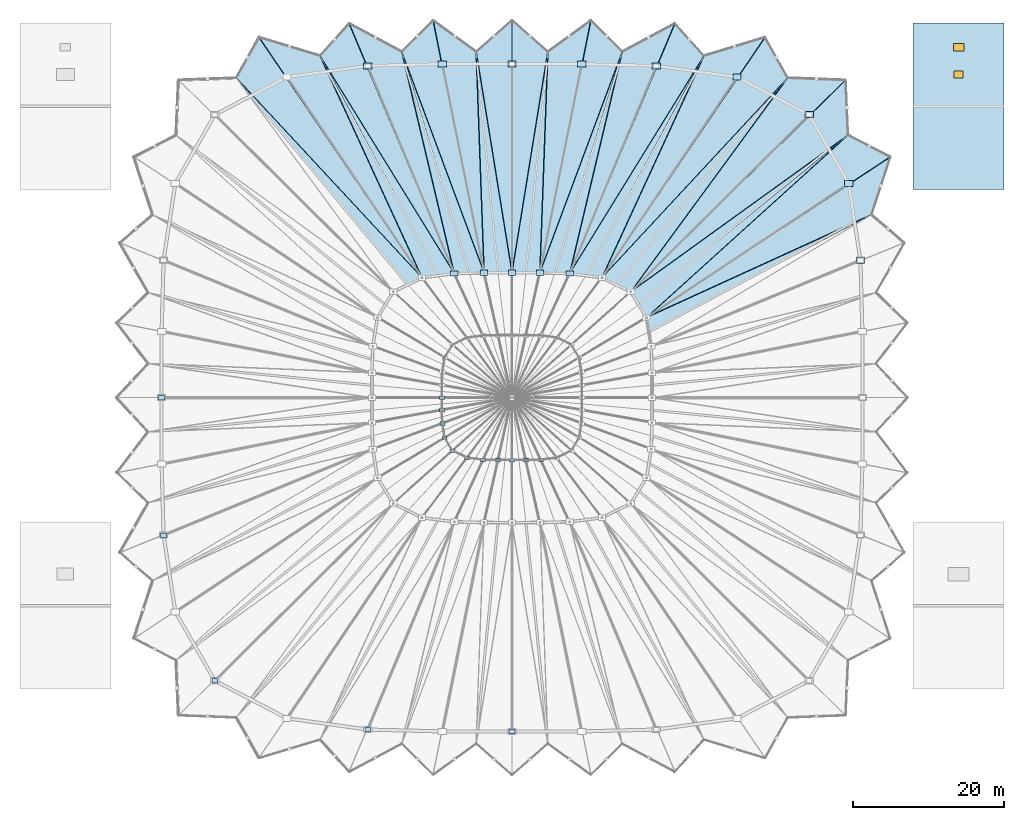
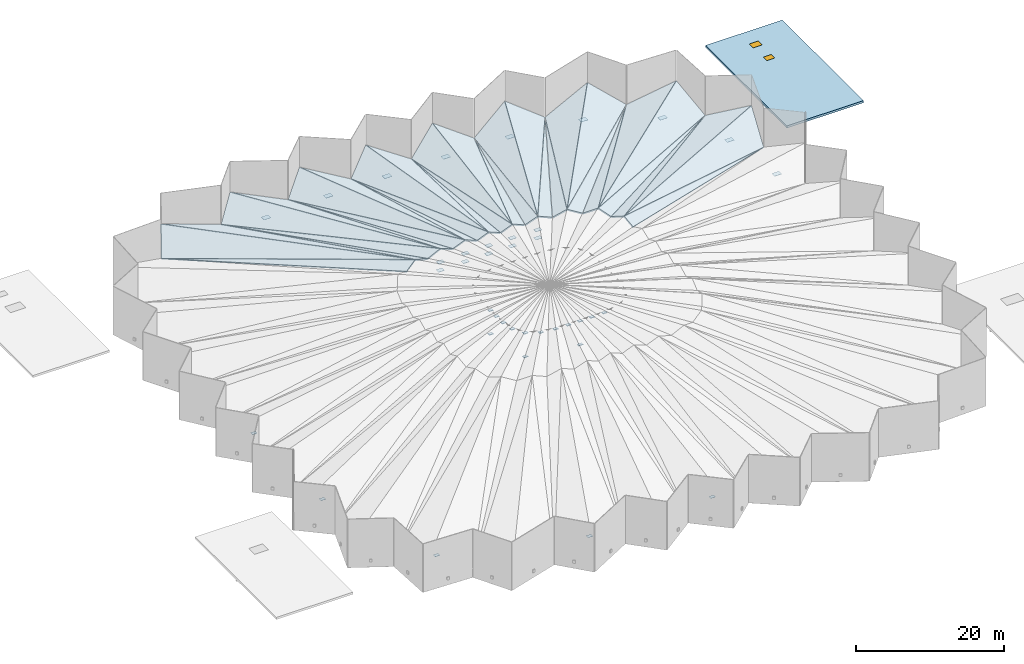
# One storey, part 32 of 41: 38 plates, 37 slabs, 2 windows, 2 openings.
"""IFC4 building model written with IfcOpenShell, lengths in metres."""

from ifc_helpers import new_model, si_unit, direction, frame, origin, origin_2d, place, context, subcontext, project, spatial, polyline, rectangle, outline, extrude, material, layer, layer_set, type_object, element, fill, save


model = new_model("IFC4")

# Units and contexts
model_context = context("Model", 3, precision=1e-05, world=origin(), true_north=direction((0.0, 1.0)))
body_context = subcontext(model_context, "Body", "Model", "MODEL_VIEW")
ifc_project = project(units=[si_unit("LENGTHUNIT", "METRE"), si_unit("AREAUNIT", "SQUARE_METRE"), si_unit("VOLUMEUNIT", "CUBIC_METRE"), si_unit("PLANEANGLEUNIT", "RADIAN"), si_unit("MASSUNIT", "GRAM", prefix="KILO")], contexts=[model_context])

# Site, building, storey
site_placement = place(None, origin())
site = spatial("IfcSite", under=ifc_project, at=site_placement, CompositionType="ELEMENT")
building_placement = place(site_placement, origin())
building = spatial("IfcBuilding", under=site, at=building_placement, Name="Luwafu Chhajja Arena", CompositionType="ELEMENT")
storey_placement = place(building_placement, frame((0.0, 0.0, 29.699951171875)))
storey = spatial("IfcBuildingStorey", under=building, at=storey_placement, Name="RF", CompositionType="ELEMENT", Elevation=29.699951171875)

# Plates
ifc_material_1 = material(Name="Steel S355", Category="steel")
ifc_layer_1 = layer(ifc_material_1, 0.028076171875, Name="Steel S355")
ifc_layer_set_1 = layer_set([ifc_layer_1], Name="Steel S355")
plate_type_1 = type_object("IfcPlateType", Name="Cable Net Clamp Gusset Plate CN-1", PredefinedType="USERDEFINED", material=ifc_layer_set_1)
for number, where, z_axis, x_axis, name in (
    (1, (89.75, 49.5, 8.005859375), (0.0, 0.0, 1.0), (1.0, 0.0, 0.0), "Cable Net Clamp Plate CN-1 17"),
    (2, (89.75, 49.5, 4.0859375), (0.0, 0.0, 1.0), (1.0, 0.0, 0.0), "Cable Net Lower Clamp Plate CN-1 05"),
    (3, (89.75244140625, 47.859375, 8.005859375), (0.0, 0.0, 1.0), (1.0, 0.0, 0.0), "Cable Net Clamp Plate CN-1 18"),
    (4, (89.8037109375, 46.1025390625, 8.005859375), (0.0, 0.0, 1.0), (1.0, 0.0, 0.0), "Cable Net Clamp Plate CN-1 19"),
    (5, (90.114501953125, 44.20458984375, 8.005859375), (0.0, 0.0, 1.0), (1.0, 0.0, 0.0), "Cable Net Clamp Plate CN-1 20"),
    (6, (91.1572265625, 42.505126953125, 8.005859375), (0.0, 0.0, 1.0), (1.0, 0.0, 0.0), "Cable Net Clamp Plate CN-1 21"),
    (7, (91.1572265625, 42.505126953125, 4.0859375), (0.0, 0.0, 1.0), (1.0, 0.0, 0.0), "Cable Net Lower Clamp Plate CN-1 06"),
    (8, (93.062744140625, 41.574951171875, 8.005859375), (0.0, 0.0, 1.0), (1.0, 0.0, 0.0), "Cable Net Clamp Plate CN-1 22"),
    (9, (95.190673828125, 41.2978515625, 8.005859375), (0.0, 0.0, 1.0), (1.0, 0.0, 0.0), "Cable Net Clamp Plate CN-1 23"),
    (10, (97.16064453125, 41.252197265625, 8.005859375), (0.0, 0.0, 1.0), (1.0, 0.0, 0.0), "Cable Net Clamp Plate CN-1 24"),
    (11, (99.0, 41.25, 8.005859375), (0.0, 0.0, 1.0), (1.0, 0.0, 0.0), "Cable Net Clamp Plate CN-1 25"),
    (12, (99.0, 41.25, 4.0859375), (0.0, 0.0, 1.0), (1.0, 0.0, 0.0), "Cable Net Lower Clamp Plate CN-1 07"),
    (13, (100.83935546875, 41.252197265625, 8.005859375), (0.0, 0.0, 1.0), (1.0, 0.0, 0.0), "Cable Net Clamp Plate CN-1 26"),
    (14, (102.809326171875, 41.2978515625, 8.005859375), (0.0, 0.0, 1.0), (1.0, 0.0, 0.0), "Cable Net Clamp Plate CN-1 27"),
):
    element("IfcPlate", number, at=place(storey_placement, frame(where, z_axis=z_axis, x_axis=x_axis)), inside=storey, type_object=plate_type_1, Name=name, ObjectType="GUSSET PLATE", PredefinedType="USERDEFINED", context=body_context, shape_type="SweptSolid", body=[
        extrude(rectangle(XDim=0.64990234375, YDim=0.5, at=origin_2d()), origin(), (0.0, 0.0, 1.0), 0.028076171875),
    ])

# Slab, openings, windows
ifc_material_2 = material(Name="Concrete C35/45", Category="concrete")
ifc_layer_2 = layer(ifc_material_2, 0.360107421875, Name="Concrete C35/45")
ifc_layer_set_2 = layer_set([ifc_layer_2], Name="Concrete C35/45")
slab_type_1 = type_object("IfcSlabType", Name="Core Overrun Structural Roof Cap 360", PredefinedType="ROOF", material=ifc_layer_set_2)
slab_1_placement = place(storey_placement, frame((0.0, 0.0, -0.35986328125)))
slab_1 = element("IfcSlab", 15, at=slab_1_placement, inside=storey, type_object=slab_type_1, Name="RF Core C4 Roof Slab", PredefinedType="ROOF", context=body_context, shape_type="SweptSolid", body=[
    extrude(outline(polyline([(152.0, 77.0), (164.0, 77.0), (164.0, 99.0), (152.0, 99.0), (152.0, 77.0)])), origin(), (0.0, 0.0, 1.0), 0.35986328125),
])
opening_1_placement = place(slab_1_placement, frame((158.0, 95.800048828125, -0.010009765625)))
opening_1 = element("IfcOpeningElement", 16, at=opening_1_placement, cuts=slab_1, Name="Opening RH-03", PredefinedType="OPENING", context=body_context, shape_type="SweptSolid", body=[
    extrude(rectangle(XDim=1.39990234375, YDim=1.050048828125, at=origin_2d()), origin(), (0.0, 0.0, 1.0), 0.3798828125),
])
opening_2_placement = place(slab_1_placement, frame((158.0, 92.199951171875, -0.010009765625)))
opening_2 = element("IfcOpeningElement", 17, at=opening_2_placement, cuts=slab_1, Name="Opening RH-02", PredefinedType="OPENING", context=body_context, shape_type="SweptSolid", body=[
    extrude(rectangle(XDim=1.199951171875, YDim=0.949951171875, at=origin_2d()), origin(), (0.0, 0.0, 1.0), 0.3798828125),
])
ifc_material_3 = material(Name="Solar-control laminated glass", Category="glass")
window_type_1 = type_object("IfcWindowType", Name="Oculus Catwalk Access Roof Hatch 1400x1050", PartitioningType="SINGLE_PANEL", PredefinedType="SKYLIGHT", material=ifc_material_3)
window_1_placement = place(opening_1_placement, frame((0.0, 0.0, 0.31982421875)))
window_1 = element("IfcWindow", 18, at=window_1_placement, inside=storey, type_object=window_type_1, Name="RF Roof Skylight and Access Hatch 04", OverallHeight=1.050048828125, OverallWidth=1.39990234375, PartitioningType="SINGLE_PANEL", PredefinedType="SKYLIGHT", context=body_context, shape_type="SweptSolid", body=[
    extrude(rectangle(XDim=1.39990234375, YDim=1.050048828125, at=origin_2d()), origin(), (0.0, 0.0, 1.0), 0.050048828125),
])
fill(opening_1, window_1)
window_type_2 = type_object("IfcWindowType", Name="Wing Maintenance Access Roof Hatch 1200x950", PartitioningType="SINGLE_PANEL", PredefinedType="SKYLIGHT", material=ifc_material_3)
window_2_placement = place(opening_2_placement, frame((0.0, 0.0, 0.31982421875)))
window_2 = element("IfcWindow", 19, at=window_2_placement, inside=storey, type_object=window_type_2, Name="RF Roof Skylight and Access Hatch 08", OverallHeight=0.949951171875, OverallWidth=1.199951171875, PartitioningType="SINGLE_PANEL", PredefinedType="SKYLIGHT", context=body_context, shape_type="SweptSolid", body=[
    extrude(rectangle(XDim=1.199951171875, YDim=0.949951171875, at=origin_2d()), origin(), (0.0, 0.0, 1.0), 0.050048828125),
])
fill(opening_2, window_2)

# Plates
ifc_layer_3 = layer(ifc_material_1, 0.02490234375, Name="Steel S355")
ifc_layer_set_3 = layer_set([ifc_layer_3], Name="Steel S355")
plate_type_2 = type_object("IfcPlateType", Name="Folded Roof Ridge Node Cap Plate FN-1", PredefinedType="USERDEFINED", material=ifc_layer_set_3)
for number, where, z_axis, x_axis, name in (
    (20, (52.699951171875, 49.5, 0.61767578125), (0.0, 0.0, 1.0), (1.0, 0.0, 0.0), "Folded Roof Node Plate FN-1 09"),
    (21, (52.968017578125, 31.3388671875, 0.61767578125), (0.0, 0.0, 1.0), (1.0, 0.0, 0.0), "Folded Roof Node Plate FN-1 10"),
    (22, (59.743896484375, 12.109130859375, 0.61767578125), (0.0, 0.0, 1.0), (1.0, 0.0, 0.0), "Folded Roof Node Plate FN-1 11"),
    (23, (79.932861328125, 5.6552734375, 0.61767578125), (0.0, 0.0, 1.0), (1.0, 0.0, 0.0), "Folded Roof Node Plate FN-1 12"),
    (24, (99.0, 5.39990234375, 0.61767578125), (0.0, 0.0, 1.0), (1.0, 0.0, 0.0), "Folded Roof Node Plate FN-1 13"),
):
    element("IfcPlate", number, at=place(storey_placement, frame(where, z_axis=z_axis, x_axis=x_axis)), inside=storey, type_object=plate_type_2, Name=name, ObjectType="GUSSET PLATE", PredefinedType="USERDEFINED", context=body_context, shape_type="SweptSolid", body=[
        extrude(rectangle(XDim=0.75, YDim=0.550048828125, at=origin_2d()), origin(), (0.0, 0.0, 1.0), 0.02490234375),
    ])
ifc_layer_4 = layer(ifc_material_1, 0.030029296875, Name="Steel S355")
ifc_layer_set_4 = layer_set([ifc_layer_4], Name="Steel S355")
plate_type_3 = type_object("IfcPlateType", Name="Inner Tension Ring Node Plate RN-2", PredefinedType="USERDEFINED", material=ifc_layer_set_4)
for number, where, z_axis, x_axis, name in (
    (25, (106.61865234375, 65.904541015625, 5.43505859375), (0.0, 0.0, 1.0), (1.0, 0.0, 0.0), "Inner Ring Upper Node Plate RN-2 07"),
    (26, (106.61865234375, 65.904541015625, 4.0849609375), (0.0, 0.0, 1.0), (1.0, 0.0, 0.0), "Inner Ring Lower Node Plate RN-2 07"),
    (27, (102.678955078125, 65.99560546875, 5.43505859375), (0.0, 0.0, 1.0), (1.0, 0.0, 0.0), "Inner Ring Upper Node Plate RN-2 08"),
    (28, (102.678955078125, 65.99560546875, 4.0849609375), (0.0, 0.0, 1.0), (1.0, 0.0, 0.0), "Inner Ring Lower Node Plate RN-2 08"),
    (29, (99.0, 66.0, 5.43505859375), (0.0, 0.0, 1.0), (1.0, 0.0, 0.0), "Inner Ring Upper Node Plate RN-2 09"),
    (30, (99.0, 66.0, 4.0849609375), (0.0, 0.0, 1.0), (1.0, 0.0, 0.0), "Inner Ring Lower Node Plate RN-2 09"),
    (31, (95.321044921875, 65.99560546875, 5.43505859375), (0.0, 0.0, 1.0), (1.0, 0.0, 0.0), "Inner Ring Upper Node Plate RN-2 10"),
    (32, (95.321044921875, 65.99560546875, 4.0849609375), (0.0, 0.0, 1.0), (1.0, 0.0, 0.0), "Inner Ring Lower Node Plate RN-2 10"),
    (33, (91.38134765625, 65.904541015625, 5.43505859375), (0.0, 0.0, 1.0), (1.0, 0.0, 0.0), "Inner Ring Upper Node Plate RN-2 11"),
    (34, (91.38134765625, 65.904541015625, 4.0849609375), (0.0, 0.0, 1.0), (1.0, 0.0, 0.0), "Inner Ring Lower Node Plate RN-2 11"),
):
    element("IfcPlate", number, at=place(storey_placement, frame(where, z_axis=z_axis, x_axis=x_axis)), inside=storey, type_object=plate_type_3, Name=name, ObjectType="GUSSET PLATE", PredefinedType="USERDEFINED", context=body_context, shape_type="SweptSolid", body=[
        extrude(rectangle(XDim=0.949951171875, YDim=0.699951171875, at=origin_2d()), origin(), (0.0, 0.0, 1.0), 0.030029296875),
    ])
ifc_layer_5 = layer(ifc_material_1, 0.031982421875, Name="Steel S355")
ifc_layer_set_5 = layer_set([ifc_layer_5], Name="Steel S355")
plate_type_4 = type_object("IfcPlateType", Name="Ring Beam Kink Node Gusset Plate RN-1", PredefinedType="USERDEFINED", material=ifc_layer_set_5)
for number, where, z_axis, x_axis, name in (
    (35, (145.031982421875, 67.6611328125, 0.1640625), (0.0, 0.0, 1.0), (1.0, 0.0, 0.0), "Outer Ring Node Gusset Plate RN-1 03"),
    (36, (143.47607421875, 77.805908203125, 0.1640625), (0.0, 0.0, 1.0), (1.0, 0.0, 0.0), "Outer Ring Node Gusset Plate RN-1 04"),
    (37, (138.256103515625, 86.890869140625, 0.1640625), (0.0, 0.0, 1.0), (1.0, 0.0, 0.0), "Outer Ring Node Gusset Plate RN-1 05"),
    (38, (128.718017578125, 91.86279296875, 0.1640625), (0.0, 0.0, 1.0), (1.0, 0.0, 0.0), "Outer Ring Node Gusset Plate RN-1 06"),
    (39, (118.067138671875, 93.3447265625, 0.1640625), (0.0, 0.0, 1.0), (1.0, 0.0, 0.0), "Outer Ring Node Gusset Plate RN-1 07"),
    (40, (108.207275390625, 93.588134765625, 0.1640625), (0.0, 0.0, 1.0), (1.0, 0.0, 0.0), "Outer Ring Node Gusset Plate RN-1 08"),
    (41, (99.0, 93.60009765625, 0.1640625), (0.0, 0.0, 1.0), (1.0, 0.0, 0.0), "Outer Ring Node Gusset Plate RN-1 09"),
    (42, (89.792724609375, 93.588134765625, 0.1640625), (0.0, 0.0, 1.0), (1.0, 0.0, 0.0), "Outer Ring Node Gusset Plate RN-1 10"),
    (43, (79.932861328125, 93.3447265625, 0.1640625), (0.0, 0.0, 1.0), (1.0, 0.0, 0.0), "Outer Ring Node Gusset Plate RN-1 11"),
):
    element("IfcPlate", number, at=place(storey_placement, frame(where, z_axis=z_axis, x_axis=x_axis)), inside=storey, type_object=plate_type_4, Name=name, ObjectType="GUSSET PLATE", PredefinedType="USERDEFINED", context=body_context, shape_type="SweptSolid", body=[
        extrude(rectangle(XDim=1.10009765625, YDim=0.800048828125, at=origin_2d()), origin(), (0.0, 0.0, 1.0), 0.031982421875),
    ])

# Slabs
ifc_material_4 = material(Name="Precast concrete C40/50", Category="concrete")
ifc_layer_6 = layer(ifc_material_4, 0.179931640625, Name="Precast concrete C40/50")
ifc_layer_set_6 = layer_set([ifc_layer_6], Name="Precast concrete C40/50")
slab_type_2 = type_object("IfcSlabType", Name="White Folded Bowl Roof Panel 180", PredefinedType="ROOF", material=ifc_layer_set_6)
slab_2_placement = place(storey_placement, frame((146.48291015625, 73.696533203125, 0.414306640625), z_axis=(0.347395801281, -0.283216121424, 0.89392661098), x_axis=(-0.88795834257, -0.405770099392, 0.216519302373)))
element("IfcSlab", 44, at=slab_2_placement, inside=storey, type_object=slab_type_2, Name="White Folded Bowl Roof Panel 03B1", PredefinedType="ROOF", context=body_context, shape_type="SweptSolid", body=[
    extrude(outline(polyline([(0.0, 0.0), (33.12687295441018, -1.3322676295501878e-15), (-4.939907287179236, -6.380254638958193), (0.0, 0.0)])), origin(), (0.0, 0.0, -1.0), 0.179931640625),
])
slab_3_placement = place(storey_placement, frame((145.668212890625, 73.266845703125, 0.594482421875), z_axis=(0.351075622232, -0.293896982713, 0.889027823539), x_axis=(-0.868487579025, -0.457075286445, 0.191863252344)))
element("IfcSlab", 45, at=slab_3_placement, inside=storey, type_object=slab_type_2, Name="White Folded Bowl Roof Panel 03B2", PredefinedType="ROOF", context=body_context, shape_type="SweptSolid", body=[
    extrude(outline(polyline([(0.0, 0.0), (32.89212988176609, 1.3322676295501878e-15), (32.45175672322473, -1.9551017424772401), (0.0, 0.0)])), origin(), (0.0, 0.0, -1.0), 0.179931640625),
])
slab_4_placement = place(storey_placement, frame((148.94287109375, 81.305419921875, 1.84765625), z_axis=(-0.06185715669, 0.349501243719, 0.934891743896), x_axis=(-0.82591942123, -0.543835414305, 0.148661197976)))
element("IfcSlab", 46, at=slab_4_placement, inside=storey, type_object=slab_type_2, Name="White Folded Bowl Roof Panel 04A1", PredefinedType="ROOF", context=body_context, shape_type="SweptSolid", body=[
    extrude(outline(polyline([(0.0, 0.0), (38.62764271241493, 1.5543122344752192e-15), (2.805106041133597, -5.747928729810053), (0.0, 0.0)])), origin(), (0.0, 0.0, -1.0), 0.179931640625),
])
slab_5_placement = place(storey_placement, frame((142.68359375, 83.58251953125, 0.58154296875), z_axis=(-0.075959972314, 0.363196340419, 0.928611060085), x_axis=(-0.726703528646, -0.657842936819, 0.197850074379)))
element("IfcSlab", 47, at=slab_5_placement, inside=storey, type_object=slab_type_2, Name="White Folded Bowl Roof Panel 04A2", PredefinedType="ROOF", context=body_context, shape_type="SweptSolid", body=[
    extrude(outline(polyline([(0.0, 0.0), (35.64933032444115, -2.6645352591003757e-15), (35.154514841447885, -2.0128237873036166), (0.0, 0.0)])), origin(), (0.0, 0.0, -1.0), 0.179931640625),
])
slab_6_placement = place(storey_placement, frame((143.37451171875, 84.209716796875, 0.41259765625), z_axis=(0.353421468747, -0.167903699756, 0.920272575402), x_axis=(-0.794616217359, -0.573006947342, 0.200619304671)))
element("IfcSlab", 48, at=slab_6_placement, inside=storey, type_object=slab_type_2, Name="White Folded Bowl Roof Panel 04B1", PredefinedType="ROOF", context=body_context, shape_type="SweptSolid", body=[
    extrude(outline(polyline([(0.0, 0.0), (35.77788481900359, -2.6645352591003757e-15), (-3.5918651111784214, -6.418396028536813), (0.0, 0.0)])), origin(), (0.0, 0.0, -1.0), 0.179931640625),
])
slab_7_placement = place(storey_placement, frame((142.66162109375, 83.631591796875, 0.580322265625), z_axis=(0.361806712536, -0.18157973858, 0.914398546205), x_axis=(-0.764542111846, -0.619052363422, 0.179581542914)))
element("IfcSlab", 49, at=slab_7_placement, inside=storey, type_object=slab_type_2, Name="White Folded Bowl Roof Panel 04B2", PredefinedType="ROOF", context=body_context, shape_type="SweptSolid", body=[
    extrude(outline(polyline([(0.0, 0.0), (35.21913738257699, 0.0), (35.102362397819725, -2.0698610817119993), (0.0, 0.0)])), origin(), (0.0, 0.0, -1.0), 0.179931640625),
])
slab_8_placement = place(storey_placement, frame((143.0224609375, 91.452392578125, 1.848388671875), z_axis=(-0.161137255306, 0.354404275821, 0.921103899803), x_axis=(-0.704831839115, -0.69461386999, 0.143957112319)))
element("IfcSlab", 50, at=slab_8_placement, inside=storey, type_object=slab_type_2, Name="White Folded Bowl Roof Panel 05A1", PredefinedType="ROOF", context=body_context, shape_type="SweptSolid", body=[
    extrude(outline(polyline([(0.0, 0.0), (39.90174943403867, -1.7763568394002505e-15), (4.9411389499758425, -5.936431325660509), (0.0, 0.0)])), origin(), (0.0, 0.0, -1.0), 0.179931640625),
])
slab_9_placement = place(storey_placement, frame((134.882080078125, 91.065673828125, 0.572509765625), z_axis=(-0.180447652785, 0.366431112865, 0.912779756638), x_axis=(-0.579234194011, -0.78961411382, 0.2024778994)))
element("IfcSlab", 51, at=slab_9_placement, inside=storey, type_object=slab_type_2, Name="White Folded Bowl Roof Panel 05A2", PredefinedType="ROOF", context=body_context, shape_type="SweptSolid", body=[
    extrude(outline(polyline([(0.0, 0.0), (34.88155577255084, 8.881784197001252e-16), (35.09352415193746, -2.1808820578359582), (0.0, 0.0)])), origin(), (0.0, 0.0, -1.0), 0.179931640625),
])
slab_10_placement = place(storey_placement, frame((135.39404296875, 91.766845703125, 0.411865234375), z_axis=(0.343010084637, -0.061560021755, 0.937312352185), x_axis=(-0.667473235195, -0.718074229312, 0.197101196083)))
element("IfcSlab", 52, at=slab_10_placement, inside=storey, type_object=slab_type_2, Name="White Folded Bowl Roof Panel 05B1", PredefinedType="ROOF", context=body_context, shape_type="SweptSolid", body=[
    extrude(outline(polyline([(0.0, 0.0), (36.417731897569396, 0.0), (-1.5552960713725101, -6.062504329153677), (0.0, 0.0)])), origin(), (0.0, 0.0, -1.0), 0.179931640625),
])
slab_11_placement = place(storey_placement, frame((134.825927734375, 91.07958984375, 0.574951171875), z_axis=(0.340571261078, -0.059004634398, 0.938365424154), x_axis=(-0.627422741465, -0.757569426436, 0.180081280599)))
element("IfcSlab", 53, at=slab_11_placement, inside=storey, type_object=slab_type_2, Name="White Folded Bowl Roof Panel 05B2", PredefinedType="ROOF", context=body_context, shape_type="SweptSolid", body=[
    extrude(outline(polyline([(0.0, 0.0), (35.148516396058575, -3.552713678800501e-15), (35.7581992274415, -2.1037932558662265), (0.0, 0.0)])), origin(), (0.0, 0.0, -1.0), 0.179931640625),
])
slab_12_placement = place(storey_placement, frame((132.36474609375, 97.089599609375, 1.84912109375), z_axis=(-0.266749573474, 0.345079291751, 0.899869405778), x_axis=(-0.554928643301, -0.818384810848, 0.149333526771)))
element("IfcSlab", 54, at=slab_12_placement, inside=storey, type_object=slab_type_2, Name="White Folded Bowl Roof Panel 06A1", PredefinedType="ROOF", context=body_context, shape_type="SweptSolid", body=[
    extrude(outline(polyline([(0.0, 0.0), (38.447194024509365, -1.7763568394002505e-15), (6.201486096104505, -5.762330399568068), (0.0, 0.0)])), origin(), (0.0, 0.0, -1.0), 0.179931640625),
])
slab_13_placement = place(storey_placement, frame((123.990966796875, 93.934814453125, 0.57666015625), z_axis=(-0.271378429776, 0.346709568845, 0.897856459978), x_axis=(-0.407659437272, -0.886460334623, 0.219093264029)))
element("IfcSlab", 55, at=slab_13_placement, inside=storey, type_object=slab_type_2, Name="White Folded Bowl Roof Panel 06A2", PredefinedType="ROOF", context=body_context, shape_type="SweptSolid", body=[
    extrude(outline(polyline([(0.0, 0.0), (32.21395855970258, 8.881784197001252e-16), (32.659206617160365, -2.1674868602337454), (0.0, 0.0)])), origin(), (0.0, 0.0, -1.0), 0.179931640625),
])
slab_14_placement = place(storey_placement, frame((124.33154296875, 94.680908203125, 0.41259765625), z_axis=(0.362853034835, 0.011005076262, 0.931781392499), x_axis=(-0.513181937082, -0.832275056287, 0.209672435327)))
element("IfcSlab", 56, at=slab_14_placement, inside=storey, type_object=slab_type_2, Name="White Folded Bowl Roof Panel 06B1", PredefinedType="ROOF", context=body_context, shape_type="SweptSolid", body=[
    extrude(outline(polyline([(0.0, 0.0), (34.21561949445315, -1.3322676295501878e-15), (-1.2550323708689803, -5.729655822156792), (0.0, 0.0)])), origin(), (0.0, 0.0, -1.0), 0.179931640625),
])
slab_15_placement = place(storey_placement, frame((123.926513671875, 93.9248046875, 0.58056640625), z_axis=(0.33576642747, 0.030132052965, 0.941463204575), x_axis=(-0.464502231633, -0.864213283358, 0.193321177514)))
element("IfcSlab", 57, at=slab_15_placement, inside=storey, type_object=slab_type_2, Name="White Folded Bowl Roof Panel 06B2", PredefinedType="ROOF", context=body_context, shape_type="SweptSolid", body=[
    extrude(outline(polyline([(0.0, 0.0), (32.71100740263553, 2.220446049250313e-16), (33.58081317876189, -2.0334192786499763), (0.0, 0.0)])), origin(), (0.0, 0.0, -1.0), 0.179931640625),
])
slab_16_placement = place(storey_placement, frame((120.45849609375, 98.891357421875, 1.84912109375), z_axis=(-0.347317372718, 0.301849383018, 0.887838719915), x_axis=(-0.382578990911, -0.910011653196, 0.15972509747)))
element("IfcSlab", 58, at=slab_16_placement, inside=storey, type_object=slab_type_2, Name="White Folded Bowl Roof Panel 07A1", PredefinedType="ROOF", context=body_context, shape_type="SweptSolid", body=[
    extrude(outline(polyline([(0.0, 0.0), (35.919869690915725, 8.881784197001252e-16), (5.75265283803915, -5.45290566528694), (0.0, 0.0)])), origin(), (0.0, 0.0, -1.0), 0.179931640625),
])
slab_17_placement = place(storey_placement, frame((113.35107421875, 94.427001953125, 0.587158203125), z_axis=(-0.333365663737, 0.300012424469, 0.893789616971), x_axis=(-0.224192625784, -0.946050733244, 0.233935197592)))
element("IfcSlab", 59, at=slab_17_placement, inside=storey, type_object=slab_type_2, Name="White Folded Bowl Roof Panel 07A2", PredefinedType="ROOF", context=body_context, shape_type="SweptSolid", body=[
    extrude(outline(polyline([(0.0, 0.0), (30.121105294515413, 4.440892098500626e-16), (30.33775735455955, -2.0376426621085737), (0.0, 0.0)])), origin(), (0.0, 0.0, -1.0), 0.179931640625),
])
slab_18_placement = place(storey_placement, frame((113.536376953125, 95.216796875, 0.413818359375), z_axis=(0.397249056628, 0.078819726018, 0.914319767805), x_axis=(-0.340009723216, -0.912760342457, 0.226411009795)))
element("IfcSlab", 60, at=slab_18_placement, inside=storey, type_object=slab_type_2, Name="White Folded Bowl Roof Panel 07B1", PredefinedType="ROOF", context=body_context, shape_type="SweptSolid", body=[
    extrude(outline(polyline([(0.0, 0.0), (31.665569621562582, 1.3322676295501878e-15), (-1.9965846755599872, -5.616205953896697), (0.0, 0.0)])), origin(), (0.0, 0.0, -1.0), 0.179931640625),
])
slab_19_placement = place(storey_placement, frame((113.292724609375, 94.414306640625, 0.590087890625), z_axis=(0.356061863324, 0.097882733264, 0.929321752686), x_axis=(-0.285052195717, -0.935722151091, 0.207772235092)))
element("IfcSlab", 61, at=slab_19_placement, inside=storey, type_object=slab_type_2, Name="White Folded Bowl Roof Panel 07B2", PredefinedType="ROOF", context=body_context, shape_type="SweptSolid", body=[
    extrude(outline(polyline([(0.0, 0.0), (30.3912268267667, 8.881784197001252e-16), (31.046711629061033, -1.9403076272236985), (0.0, 0.0)])), origin(), (0.0, 0.0, -1.0), 0.179931640625),
])
slab_20_placement = place(storey_placement, frame((109.373291015625, 99.282470703125, 1.8486328125), z_axis=(-0.396862493762, 0.234480736709, 0.887422641788), x_axis=(-0.195098455939, -0.966276494636, 0.168066440443)))
element("IfcSlab", 62, at=slab_20_placement, inside=storey, type_object=slab_type_2, Name="White Folded Bowl Roof Panel 08A1", PredefinedType="ROOF", context=body_context, shape_type="SweptSolid", body=[
    extrude(outline(polyline([(0.0, 0.0), (34.121143551961, 4.440892098500626e-16), (4.803351381414176, -5.2207399683863915), (0.0, 0.0)])), origin(), (0.0, 0.0, -1.0), 0.179931640625),
])
slab_21_placement = place(storey_placement, frame((103.67236328125, 94.38232421875, 0.594970703125), z_axis=(-0.366581211266, 0.236470001285, 0.899833403491), x_axis=(-0.034835682197, -0.969971682189, 0.240710222046)))
element("IfcSlab", 63, at=slab_21_placement, inside=storey, type_object=slab_type_2, Name="White Folded Bowl Roof Panel 08A2", PredefinedType="ROOF", context=body_context, shape_type="SweptSolid", body=[
    extrude(outline(polyline([(0.0, 0.0), (29.23883280772167, 0.0), (29.123662044125236, -1.9249131742547645), (0.0, 0.0)])), origin(), (0.0, 0.0, -1.0), 0.179931640625),
])
slab_22_placement = place(storey_placement, frame((103.7001953125, 95.200439453125, 0.41455078125), z_axis=(0.413222945682, 0.155802741756, 0.89720248708), x_axis=(-0.155198330228, -0.958791063287, 0.237977257852)))
element("IfcSlab", 64, at=slab_22_placement, inside=storey, type_object=slab_type_2, Name="White Folded Bowl Roof Panel 08B1", PredefinedType="ROOF", context=body_context, shape_type="SweptSolid", body=[
    extrude(outline(polyline([(0.0, 0.0), (30.11834211993533, 4.440892098500626e-16), (-2.9045558349652207, -5.711643032949582), (0.0, 0.0)])), origin(), (0.0, 0.0, -1.0), 0.179931640625),
])
slab_23_placement = place(storey_placement, frame((103.61962890625, 94.377197265625, 0.595947265625), z_axis=(0.372390401768, 0.166343220367, 0.91304727244), x_axis=(-0.096076834061, -0.971610867338, 0.216197975079)))
element("IfcSlab", 65, at=slab_23_placement, inside=storey, type_object=slab_type_2, Name="White Folded Bowl Roof Panel 08B2", PredefinedType="ROOF", context=body_context, shape_type="SweptSolid", body=[
    extrude(outline(polyline([(0.0, 0.0), (29.181966338737663, 8.881784197001252e-16), (29.50871232345239, -1.9001486349872252), (0.0, 0.0)])), origin(), (0.0, 0.0, -1.0), 0.179931640625),
])
slab_24_placement = place(storey_placement, frame((98.97412109375, 99.34228515625, 1.84814453125), z_axis=(-0.413222945682, 0.155802741756, 0.89720248708), x_axis=(0.0, -0.98525481824, 0.171093375487)))
element("IfcSlab", 66, at=slab_24_placement, inside=storey, type_object=slab_type_2, Name="White Folded Bowl Roof Panel 09A1", PredefinedType="ROOF", context=body_context, shape_type="SweptSolid", body=[
    extrude(outline(polyline([(0.0, 0.0), (33.51320121199431, -4.440892098500626e-16), (3.8354950416436147, -5.133058398245558), (0.0, 0.0)])), origin(), (0.0, 0.0, -1.0), 0.179931640625),
])
slab_25_placement = place(storey_placement, frame((94.38037109375, 94.377197265625, 0.595947265625), z_axis=(-0.372390401768, 0.166343220367, 0.91304727244), x_axis=(0.155195744998, -0.958792162544, 0.237974514979)))
element("IfcSlab", 67, at=slab_25_placement, inside=storey, type_object=slab_type_2, Name="White Folded Bowl Roof Panel 09A2", PredefinedType="ROOF", context=body_context, shape_type="SweptSolid", body=[
    extrude(outline(polyline([(0.0, 0.0), (29.569826983317213, -1.3322676295501878e-15), (29.12165330586179, -1.8752248207633926), (0.0, 0.0)])), origin(), (0.0, 0.0, -1.0), 0.179931640625),
])
slab_26_placement = place(storey_placement, frame((94.246337890625, 95.19677734375, 0.4150390625), z_axis=(0.396862493762, 0.234480736709, 0.887422641788), x_axis=(0.03483506449, -0.969970851947, 0.240713656975)))
element("IfcSlab", 68, at=slab_26_placement, inside=storey, type_object=slab_type_2, Name="White Folded Bowl Roof Panel 09B1", PredefinedType="ROOF", context=body_context, shape_type="SweptSolid", body=[
    extrude(outline(polyline([(0.0, 0.0), (29.779003737077634, 0.0), (-3.8136780097683562, -5.981987157178616), (0.0, 0.0)])), origin(), (0.0, 0.0, -1.0), 0.179931640625),
])
slab_27_placement = place(storey_placement, frame((94.32763671875, 94.38232421875, 0.594970703125), z_axis=(0.366581211266, 0.236470001285, 0.899833403491), x_axis=(0.096076316428, -0.971612109297, 0.216192623577)))
element("IfcSlab", 69, at=slab_27_placement, inside=storey, type_object=slab_type_2, Name="White Folded Bowl Roof Panel 09B2", PredefinedType="ROOF", context=body_context, shape_type="SweptSolid", body=[
    extrude(outline(polyline([(0.0, 0.0), (29.187205785906272, 0.0), (29.175176668263127, -1.928318006329783), (0.0, 0.0)])), origin(), (0.0, 0.0, -1.0), 0.179931640625),
])
slab_28_placement = place(storey_placement, frame((88.572021484375, 99.290283203125, 1.84765625), z_axis=(-0.397249056628, 0.078819726018, 0.914319767805), x_axis=(0.195098209481, -0.96627696359, 0.168064030337)))
element("IfcSlab", 70, at=slab_28_placement, inside=storey, type_object=slab_type_2, Name="White Folded Bowl Roof Panel 10A1", PredefinedType="ROOF", context=body_context, shape_type="SweptSolid", body=[
    extrude(outline(polyline([(0.0, 0.0), (34.12744352042608, -4.440892098500626e-16), (2.893598246626664, -5.211066001346057), (0.0, 0.0)])), origin(), (0.0, 0.0, -1.0), 0.179931640625),
])
slab_29_placement = place(storey_placement, frame((84.707275390625, 94.414306640625, 0.590087890625), z_axis=(-0.356061863324, 0.097882733264, 0.929321752686), x_axis=(0.340005905757, -0.912762264889, 0.226408992412)))
element("IfcSlab", 71, at=slab_29_placement, inside=storey, type_object=slab_type_2, Name="White Folded Bowl Roof Panel 10A2", PredefinedType="ROOF", context=body_context, shape_type="SweptSolid", body=[
    extrude(outline(polyline([(0.0, 0.0), (31.10728365939939, 0.0), (30.33204910062621, -1.8956437938560746), (0.0, 0.0)])), origin(), (0.0, 0.0, -1.0), 0.179931640625),
])
slab_30_placement = place(storey_placement, frame((84.410888671875, 95.2060546875, 0.414794921875), z_axis=(0.347317372718, 0.301849383018, 0.887838719915), x_axis=(0.224190537623, -0.946050461291, 0.233938298557)))
element("IfcSlab", 72, at=slab_30_placement, inside=storey, type_object=slab_type_2, Name="White Folded Bowl Roof Panel 10B1", PredefinedType="ROOF", context=body_context, shape_type="SweptSolid", body=[
    extrude(outline(polyline([(0.0, 0.0), (30.6560785627092, -4.440892098500626e-16), (-4.69098959137113, -6.389194904146063), (0.0, 0.0)])), origin(), (0.0, 0.0, -1.0), 0.179931640625),
])
slab_31_placement = place(storey_placement, frame((84.64892578125, 94.427001953125, 0.587158203125), z_axis=(0.333365663737, 0.300012424469, 0.893789616971), x_axis=(0.285057198888, -0.935721814094, 0.207766888581)))
element("IfcSlab", 73, at=slab_31_placement, inside=storey, type_object=slab_type_2, Name="White Folded Bowl Roof Panel 10B2", PredefinedType="ROOF", context=body_context, shape_type="SweptSolid", body=[
    extrude(outline(polyline([(0.0, 0.0), (30.40610973016076, 4.440892098500626e-16), (30.0533936036452, -2.018543303390378), (0.0, 0.0)])), origin(), (0.0, 0.0, -1.0), 0.179931640625),
])
slab_32_placement = place(storey_placement, frame((77.48095703125, 98.901123046875, 1.847412109375), z_axis=(-0.362853034835, 0.011005076262, 0.931781392499), x_axis=(0.382582014619, -0.910009083952, 0.159732492668)))
element("IfcSlab", 74, at=slab_32_placement, inside=storey, type_object=slab_type_2, Name="White Folded Bowl Roof Panel 11A1", PredefinedType="ROOF", context=body_context, shape_type="SweptSolid", body=[
    extrude(outline(polyline([(0.0, 0.0), (35.93043416925623, -2.220446049250313e-16), (2.152653424192668, -5.456202463950162), (0.0, 0.0)])), origin(), (0.0, 0.0, -1.0), 0.179931640625),
])
slab_33_placement = place(storey_placement, frame((74.073486328125, 93.9248046875, 0.58056640625), z_axis=(-0.33576642747, 0.030132052965, 0.941463204575), x_axis=(0.513182431465, -0.832277752099, 0.209660524174)))
element("IfcSlab", 75, at=slab_33_placement, inside=storey, type_object=slab_type_2, Name="White Folded Bowl Roof Panel 11A2", PredefinedType="ROOF", context=body_context, shape_type="SweptSolid", body=[
    extrude(outline(polyline([(0.0, 0.0), (33.64232167537927, -2.6645352591003757e-15), (32.65120163454407, -1.9771285025569334), (0.0, 0.0)])), origin(), (0.0, 0.0, -1.0), 0.179931640625),
])
slab_34_placement = place(storey_placement, frame((73.6171875, 94.662353515625, 0.413818359375), z_axis=(0.266749573474, 0.345079291751, 0.899869405778), x_axis=(0.407659676111, -0.886460050051, 0.219093971021)))
element("IfcSlab", 76, at=slab_34_placement, inside=storey, type_object=slab_type_2, Name="White Folded Bowl Roof Panel 11B1", PredefinedType="ROOF", context=body_context, shape_type="SweptSolid", body=[
    extrude(outline(polyline([(0.0, 0.0), (32.756528073618824, 1.7763568394002505e-15), (-5.0911029816243705, -6.763397952542731), (0.0, 0.0)])), origin(), (0.0, 0.0, -1.0), 0.179931640625),
])
slab_35_placement = place(storey_placement, frame((74.009033203125, 93.934814453125, 0.57666015625), z_axis=(0.271378429776, 0.346709568845, 0.897856459978), x_axis=(0.464501208281, -0.864213620353, 0.193322129881)))
element("IfcSlab", 77, at=slab_35_placement, inside=storey, type_object=slab_type_2, Name="White Folded Bowl Roof Panel 11B2", PredefinedType="ROOF", context=body_context, shape_type="SweptSolid", body=[
    extrude(outline(polyline([(0.0, 0.0), (32.73105216994494, 0.0), (32.14324804150462, -2.133244343375694), (0.0, 0.0)])), origin(), (0.0, 0.0, -1.0), 0.179931640625),
])
slab_36_placement = place(storey_placement, frame((65.57470703125, 97.08642578125, 1.84765625), z_axis=(-0.343010084637, -0.061560021755, 0.937312352185), x_axis=(0.554926655222, -0.81838745737, 0.149326410741)))
element("IfcSlab", 78, at=slab_36_placement, inside=storey, type_object=slab_type_2, Name="White Folded Bowl Roof Panel 12A1", PredefinedType="ROOF", context=body_context, shape_type="SweptSolid", body=[
    extrude(outline(polyline([(0.0, 0.0), (38.45393103274426, -2.220446049250313e-15), (2.4916375877835235, -5.741484715801145), (0.0, 0.0)])), origin(), (0.0, 0.0, -1.0), 0.179931640625),
])
slab_37_placement = place(storey_placement, frame((63.174072265625, 91.07958984375, 0.574951171875), z_axis=(-0.340571261078, -0.059004634398, 0.938365424154), x_axis=(0.667467041775, -0.71808085013, 0.19709804875)))
element("IfcSlab", 79, at=slab_37_placement, inside=storey, type_object=slab_type_2, Name="White Folded Bowl Roof Panel 12A2", PredefinedType="ROOF", context=body_context, shape_type="SweptSolid", body=[
    extrude(outline(polyline([(0.0, 0.0), (35.82003291529512, -3.552713678800501e-15), (35.08784190152387, -2.064353539891833), (0.0, 0.0)])), origin(), (0.0, 0.0, -1.0), 0.179931640625),
])

save(model, "model.ifc")
